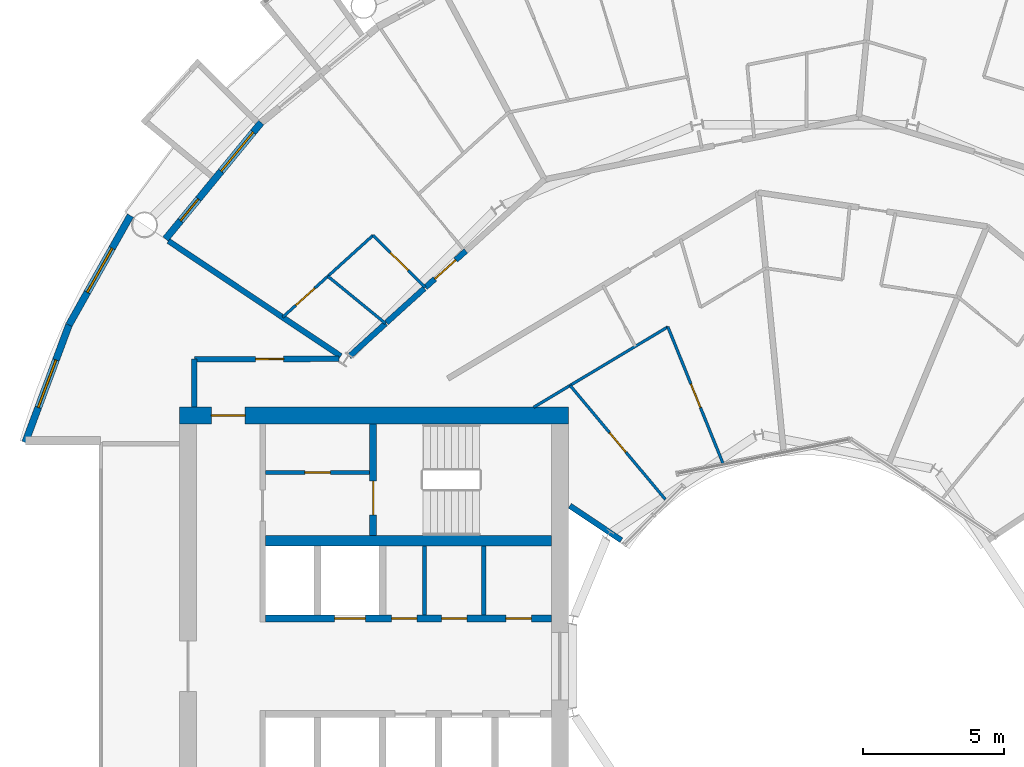
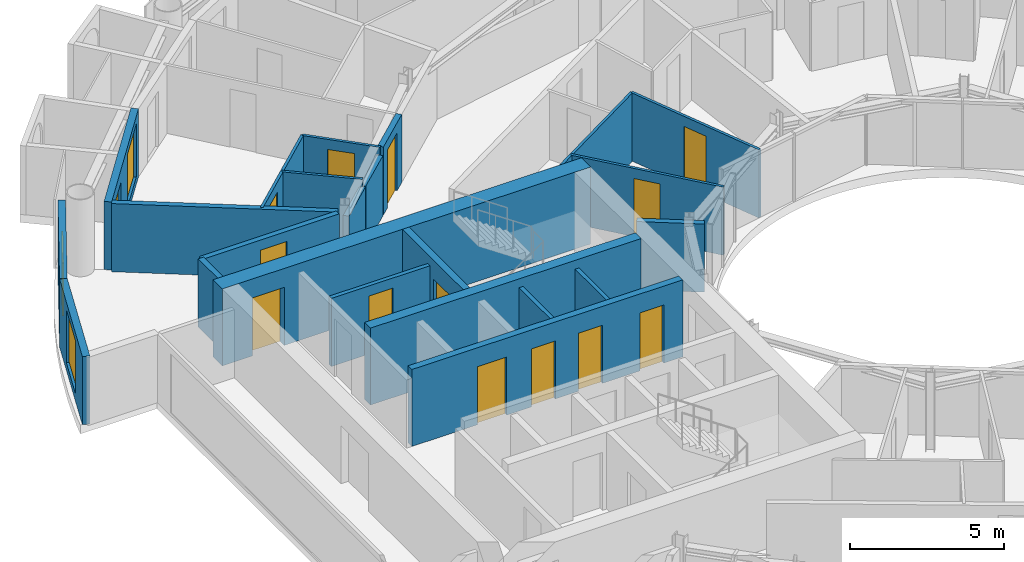
# One storey, part 19 of 28: 23 walls, 14 doors, 3 windows, 17 openings.
"""IFC4 building model written with IfcOpenShell, lengths in metres."""

import ifcopenshell
import ifcopenshell.guid

model = None  # the IFC model being written
_history = None  # IfcOwnerHistory: only IFC2X3 demands one
_inside = {}  # id of a spatial element -> (the spatial element, [elements in it])
_under = {}  # id of a project, library or spatial element -> (it, [spatial elements below it])
_declared = {}  # id of a project -> (the project, [libraries it declares])
_typed = {}  # id of a type object -> (the type object, [elements of that type])
_made_of = {}  # id of a material, layer set ... -> (it, [elements and type objects made of it])


def new_model(schema):
    """Start an empty IFC model of exactly this schema.

    Asked for "IFC4X3", IfcOpenShell would pick the latest addendum, in which some entities
    have other attributes; the version numbers below select the first issue.
    IFC2X3 requires an IfcOwnerHistory on every rooted entity: one is made here for all.
    """
    global model, _history
    if schema == "IFC4X3":
        model = ifcopenshell.file(schema_version=(4, 3, 0, 0))
    else:
        model = ifcopenshell.file(schema=schema)
    _inside.clear()
    _under.clear()
    _declared.clear()
    _typed.clear()
    _made_of.clear()
    _history = None
    if model.schema == "IFC2X3":
        org = make("IfcOrganization", Name="unknown")
        user = make(
            "IfcPersonAndOrganization",
            ThePerson=make("IfcPerson", FamilyName="unknown"),
            TheOrganization=org,
        )
        app = make(
            "IfcApplication",
            ApplicationDeveloper=org,
            Version="unknown",
            ApplicationFullName="unknown",
            ApplicationIdentifier="unknown",
        )
        _history = make(
            "IfcOwnerHistory",
            OwningUser=user,
            OwningApplication=app,
            ChangeAction="ADDED",
            CreationDate=0,
        )
    return model


def make(cls, **values):
    """One entity of the class cls with the attributes given. An attribute that is None is left unset."""
    return model.create_entity(
        cls, **{name: value for name, value in values.items() if value is not None}
    )


def rooted(cls, **values):
    """An entity with a GlobalId (a new one), such as an element, a storey or a relation."""
    return make(cls, GlobalId=ifcopenshell.guid.new(), OwnerHistory=_history, **values)


def si_unit(unit_type, name, prefix=None):
    """IfcSIUnit, for example si_unit("LENGTHUNIT", "METRE", prefix="MILLI")."""
    return make("IfcSIUnit", UnitType=unit_type, Prefix=prefix, Name=name)


def assignment(units):
    """IfcUnitAssignment: the units of a project."""
    return None if units is None else make("IfcUnitAssignment", Units=units)


def point(xyz):
    """IfcCartesianPoint."""
    return None if xyz is None else make("IfcCartesianPoint", Coordinates=xyz)


def direction(xyz):
    """IfcDirection."""
    return None if xyz is None else make("IfcDirection", DirectionRatios=xyz)


def frame(location, z_axis=None, x_axis=None):
    """IfcAxis2Placement3D, a coordinate frame: its origin and axes. An axis left out is left unset."""
    return make(
        "IfcAxis2Placement3D",
        Location=point(location),
        Axis=direction(z_axis),
        RefDirection=direction(x_axis),
    )


def frame_2d(location, x_axis=None):
    """IfcAxis2Placement2D, a coordinate frame in the plane: its origin and x axis."""
    return make(
        "IfcAxis2Placement2D", Location=point(location), RefDirection=direction(x_axis)
    )


def origin():
    """The frame at (0, 0, 0) with its axes left unset."""
    return frame((0.0, 0.0, 0.0))


def place(relative_to, where):
    """IfcLocalPlacement: puts the frame where relative to a parent placement (None: the world)."""
    return make(
        "IfcLocalPlacement", PlacementRelTo=relative_to, RelativePlacement=where
    )


def context(
    kind, dimensions, precision=None, world=None, true_north=None, identifier=None
):
    """IfcGeometricRepresentationContext, for example the 3D "Model" context."""
    return make(
        "IfcGeometricRepresentationContext",
        ContextIdentifier=identifier,
        ContextType=kind,
        CoordinateSpaceDimension=dimensions,
        Precision=precision,
        WorldCoordinateSystem=world,
        TrueNorth=true_north,
    )


def subcontext(parent, identifier, kind, view, scale=None):
    """IfcGeometricRepresentationSubContext, for example "Body" below "Model"."""
    return make(
        "IfcGeometricRepresentationSubContext",
        ContextIdentifier=identifier,
        ContextType=kind,
        ParentContext=parent,
        TargetScale=scale,
        TargetView=view,
    )


def project(units=None, contexts=None):
    """IfcProject with its units and contexts."""
    return rooted(
        "IfcProject",
        Name="project",
        RepresentationContexts=contexts,
        UnitsInContext=assignment(units),
    )


def spatial(cls, under=None, at=None, **own):
    """A site, building, storey or space (cls), placed at a placement, below another one or the project."""
    s = rooted(cls, ObjectPlacement=at, **own)
    if under is not None:
        _under.setdefault(under.id(), (under, []))[1].append(s)
    return s


def profile(cls, at=None, kind="AREA", **sizes):
    """A parametric profile (cls). Its sizes go by their IFC names, for example OverallWidth=200.0."""
    return make(cls, ProfileType=kind, Position=at, **sizes)


def rectangle(**sizes):
    """IfcRectangleProfileDef."""
    return profile("IfcRectangleProfileDef", **sizes)


def extrude(swept, where, along, depth):
    """IfcExtrudedAreaSolid: the profile swept, set in the frame where, extruded along a direction by depth."""
    return make(
        "IfcExtrudedAreaSolid",
        SweptArea=swept,
        Position=where,
        ExtrudedDirection=direction(along),
        Depth=depth,
    )


def shape(context_of_items, identifier, shape_type, items):
    """IfcShapeRepresentation: the items that make up one representation, for example the "Body"."""
    return make(
        "IfcShapeRepresentation",
        ContextOfItems=context_of_items,
        RepresentationIdentifier=identifier,
        RepresentationType=shape_type,
        Items=items,
    )


def material(Name=None, Category=None):
    """IfcMaterial."""
    return make("IfcMaterial", Name=Name, Category=Category)


def layer(
    of_material, thickness, ventilated=None, Name=None, Category=None, Priority=None
):
    """IfcMaterialLayer: one layer of a wall or slab, of a material (None: an air gap)."""
    return make(
        "IfcMaterialLayer",
        Material=of_material,
        LayerThickness=thickness,
        IsVentilated=ventilated,
        Name=Name,
        Category=Category,
        Priority=Priority,
    )


def layer_set(layers, Name=None):
    """IfcMaterialLayerSet."""
    return make("IfcMaterialLayerSet", MaterialLayers=layers, LayerSetName=Name)


def made_of(thing, what):
    """Note that an element or type object is made of a material, layer set ...; save() writes the relation."""
    if what is not None:
        _made_of.setdefault(what.id(), (what, []))[1].append(thing)
    return thing


def type_object(cls, material=None, **own):
    """A type object (cls), such as IfcWallType, which elements share."""
    return made_of(rooted(cls, **own), material)


def element(
    cls,
    number,
    at=None,
    inside=None,
    cuts=None,
    type_object=None,
    material=None,
    context=None,
    identifier="Body",
    shape_type=None,
    held_by="IfcProductDefinitionShape",
    body=None,
    shapes=None,
    **own,
):
    """One element of the class cls, such as IfcWall. Its Tag is "e" and its number.

    at: its placement. inside: the storey or other place that contains it. cuts: it is an
    opening in that element (IfcRelVoidsElement). A single representation is given by context,
    identifier, shape_type and body (its items); several are given by shapes. held_by: the class
    of the entity that holds the representations. save() writes the other relations.
    """
    e = rooted(cls, Tag="e%d" % number, ObjectPlacement=at, **own)
    if body is not None:
        shapes = [shape(context, identifier, shape_type, body)]
    if shapes is not None:
        e.Representation = make(held_by, Representations=shapes)
    if inside is not None:
        _inside.setdefault(inside.id(), (inside, []))[1].append(e)
    if cuts is not None:
        rooted(
            "IfcRelVoidsElement", RelatingBuildingElement=cuts, RelatedOpeningElement=e
        )
    if type_object is not None:
        _typed.setdefault(type_object.id(), (type_object, []))[1].append(e)
    return made_of(e, material)


def fill(opening, filler):
    """IfcRelFillsElement: the door or window that sits in an opening."""
    return rooted(
        "IfcRelFillsElement",
        RelatingOpeningElement=opening,
        RelatedBuildingElement=filler,
    )


def aggregate(whole, parts):
    """IfcRelAggregates: a whole, such as a stair, and the parts it consists of."""
    return rooted("IfcRelAggregates", RelatingObject=whole, RelatedObjects=parts)


def save(model, path):
    """Write the relations noted so far, then the file.

    IfcRelAggregates (storeys below a building ...), IfcRelContainedInSpatialStructure (elements
    in a storey), IfcRelDefinesByType, IfcRelAssociatesMaterial and IfcRelDeclares: one each for
    every whole, place, type object, material and project.
    """
    for whole, parts in _under.values():
        aggregate(whole, parts)
    for where, things in _inside.values():
        rooted(
            "IfcRelContainedInSpatialStructure",
            RelatedElements=things,
            RelatingStructure=where,
        )
    for kind, things in _typed.values():
        rooted("IfcRelDefinesByType", RelatedObjects=things, RelatingType=kind)
    for what, things in _made_of.values():
        rooted("IfcRelAssociatesMaterial", RelatedObjects=things, RelatingMaterial=what)
    for by, libraries in _declared.values():
        rooted("IfcRelDeclares", RelatingContext=by, RelatedDefinitions=libraries)
    model.write(path)


model = new_model("IFC4")

# Units and contexts
model_context = context("Model", 3, precision=1e-05, world=origin(), true_north=direction((0.0, 1.0)))
body_context = subcontext(model_context, "Body", "Model", "MODEL_VIEW")
ifc_project = project(units=[si_unit("LENGTHUNIT", "METRE"), si_unit("AREAUNIT", "SQUARE_METRE"), si_unit("VOLUMEUNIT", "CUBIC_METRE"), si_unit("PLANEANGLEUNIT", "RADIAN"), si_unit("MASSUNIT", "GRAM", prefix="KILO")], contexts=[model_context])

# Site, building, storey
site_placement = place(None, origin())
site = spatial("IfcSite", under=ifc_project, at=site_placement, CompositionType="ELEMENT")
building_placement = place(site_placement, origin())
building = spatial("IfcBuilding", under=site, at=building_placement, Name="Maasbend Ring Residences", CompositionType="ELEMENT")
storey_placement = place(building_placement, frame((0.0, 0.0, 129.949951171875)))
storey = spatial("IfcBuildingStorey", under=building, at=storey_placement, Name="L37", CompositionType="ELEMENT", Elevation=129.949951171875)

# Wall, openings, doors
ifc_material_1 = material(Name="Concrete C60/75", Category="concrete")
ifc_layer_1 = layer(ifc_material_1, 0.25)
ifc_layer_set_1 = layer_set([ifc_layer_1], Name="Concrete C60/75")
wall_type_1 = type_object("IfcWallType", Name="CORE WALL 250 C60/75", PredefinedType="SHEAR", material=ifc_layer_set_1)
wall_1_placement = place(storey_placement, frame((-19.14990234375, 1.699951171875, 0.0), z_axis=(0.0, 0.0, 1.0), x_axis=(1.0, 0.0, 0.0)))
wall_1 = element("IfcWall", 1, at=wall_1_placement, inside=storey, type_object=wall_type_1, Name="L37 core W wall SPS", PredefinedType="SHEAR", context=body_context, shape_type="SweptSolid", body=[
    extrude(rectangle(XDim=10.14990234375, YDim=0.25, at=frame_2d((5.074951171875, 0.0))), origin(), (0.0, 0.0, 1.0), 3.050048828125),
])
opening_1_placement = place(wall_1_placement, frame((2.449951171875, 0.0, 0.0)))
opening_1 = element("IfcOpeningElement", 2, at=opening_1_placement, cuts=wall_1, Name="Opening LD-W3705", PredefinedType="OPENING", context=body_context, shape_type="SweptSolid", body=[
    extrude(rectangle(XDim=1.10009765625, YDim=2.300048828125, at=frame_2d((0.550048828125, 1.14990234375))), frame((0.0, 0.135009765625, 0.0), z_axis=(0.0, -1.0, 0.0), x_axis=(1.0, 0.0, 0.0)), (0.0, 0.0, 1.0), 0.27001953125),
])
opening_2_placement = place(wall_1_placement, frame((8.53759765625, 0.0, 0.0)))
opening_2 = element("IfcOpeningElement", 3, at=opening_2_placement, cuts=wall_1, Name="Opening D-W3706", PredefinedType="OPENING", context=body_context, shape_type="SweptSolid", body=[
    extrude(rectangle(XDim=0.89990234375, YDim=2.300048828125, at=frame_2d((0.449951171875, 1.14990234375))), frame((0.0, 0.135009765625, 0.0), z_axis=(0.0, -1.0, 0.0), x_axis=(1.0, 0.0, 0.0)), (0.0, 0.0, 1.0), 0.27001953125),
])
opening_3_placement = place(wall_1_placement, frame((6.25, 0.0, 0.0)))
opening_3 = element("IfcOpeningElement", 4, at=opening_3_placement, cuts=wall_1, Name="Opening D-W3707", PredefinedType="OPENING", context=body_context, shape_type="SweptSolid", body=[
    extrude(rectangle(XDim=0.89990234375, YDim=2.300048828125, at=frame_2d((0.449951171875, 1.14990234375))), frame((0.0, 0.135009765625, 0.0), z_axis=(0.0, -1.0, 0.0), x_axis=(1.0, 0.0, 0.0)), (0.0, 0.0, 1.0), 0.27001953125),
])
opening_4_placement = place(wall_1_placement, frame((4.47509765625, 0.0, 0.0)))
opening_4 = element("IfcOpeningElement", 5, at=opening_4_placement, cuts=wall_1, Name="Opening D-W3708", PredefinedType="OPENING", context=body_context, shape_type="SweptSolid", body=[
    extrude(rectangle(XDim=0.89990234375, YDim=2.300048828125, at=frame_2d((0.449951171875, 1.14990234375))), frame((0.0, 0.135009765625, 0.0), z_axis=(0.0, -1.0, 0.0), x_axis=(1.0, 0.0, 0.0)), (0.0, 0.0, 1.0), 0.27001953125),
])
ifc_material_2 = material(Name="Stainless steel 316", Category="steel")
door_type_1 = type_object("IfcDoorType", Name="LANDING DOOR 1100 X 2300 FD60", OperationType="DOUBLE_DOOR_SLIDING", PredefinedType="DOOR", material=ifc_material_2)
door_1_placement = place(opening_1_placement, origin())
door_1 = element("IfcDoor", 6, at=door_1_placement, inside=storey, type_object=door_type_1, Name="Landing door SV-W L37", OperationType="DOUBLE_DOOR_SLIDING", OverallHeight=2.300048828125, OverallWidth=1.10009765625, PredefinedType="DOOR", context=body_context, shape_type="SweptSolid", body=[
    extrude(rectangle(XDim=1.10009765625, YDim=2.300048828125, at=frame_2d((0.550048828125, 1.14990234375))), frame((0.0, 0.02490234375, 0.0), z_axis=(0.0, -1.0, 0.0), x_axis=(1.0, 0.0, 0.0)), (0.0, 0.0, 1.0), 0.050048828125),
])
fill(opening_1, door_1)
ifc_material_3 = material(Name="Steel, powder coated", Category="steel")
door_type_2 = type_object("IfcDoorType", Name="ROOM DOOR 900 X 2300 FD30S", OperationType="NOTDEFINED", PredefinedType="DOOR", material=ifc_material_3)
door_2_placement = place(opening_2_placement, origin())
door_2 = element("IfcDoor", 7, at=door_2_placement, inside=storey, type_object=door_type_2, Name="Room door L37", OperationType="SINGLE_SWING_LEFT", OverallHeight=2.300048828125, OverallWidth=0.89990234375, PredefinedType="DOOR", context=body_context, shape_type="SweptSolid", body=[
    extrude(rectangle(XDim=0.89990234375, YDim=2.300048828125, at=frame_2d((0.449951171875, 1.14990234375))), frame((0.0, 0.02490234375, 0.0), z_axis=(0.0, -1.0, 0.0), x_axis=(1.0, 0.0, 0.0)), (0.0, 0.0, 1.0), 0.050048828125),
])
fill(opening_2, door_2)
door_3_placement = place(opening_3_placement, origin())
door_3 = element("IfcDoor", 8, at=door_3_placement, inside=storey, type_object=door_type_2, Name="Room door L37", OperationType="SINGLE_SWING_LEFT", OverallHeight=2.300048828125, OverallWidth=0.89990234375, PredefinedType="DOOR", context=body_context, shape_type="SweptSolid", body=[
    extrude(rectangle(XDim=0.89990234375, YDim=2.300048828125, at=frame_2d((0.449951171875, 1.14990234375))), frame((0.0, 0.02490234375, 0.0), z_axis=(0.0, -1.0, 0.0), x_axis=(1.0, 0.0, 0.0)), (0.0, 0.0, 1.0), 0.050048828125),
])
fill(opening_3, door_3)
door_4_placement = place(opening_4_placement, origin())
door_4 = element("IfcDoor", 9, at=door_4_placement, inside=storey, type_object=door_type_2, Name="Room door L37", OperationType="SINGLE_SWING_RIGHT", OverallHeight=2.300048828125, OverallWidth=0.89990234375, PredefinedType="DOOR", context=body_context, shape_type="SweptSolid", body=[
    extrude(rectangle(XDim=0.89990234375, YDim=2.300048828125, at=frame_2d((0.449951171875, 1.14990234375))), frame((0.0, 0.02490234375, 0.0), z_axis=(0.0, -1.0, 0.0), x_axis=(1.0, 0.0, 0.0)), (0.0, 0.0, 1.0), 0.050048828125),
])
fill(opening_4, door_4)

# Wall, opening, door
wall_2_placement = place(storey_placement, frame((-15.324951171875, 8.60009765625, 0.0), z_axis=(0.0, 0.0, 1.0), x_axis=(0.0, -1.0, 0.0)))
wall_2 = element("IfcWall", 10, at=wall_2_placement, inside=storey, type_object=wall_type_1, Name="L37 core W wall STES", PredefinedType="SHEAR", context=body_context, shape_type="SweptSolid", body=[
    extrude(rectangle(XDim=3.9501953125, YDim=0.25, at=frame_2d((1.97509765625, 0.0))), origin(), (0.0, 0.0, 1.0), 3.050048828125),
])
opening_5_placement = place(wall_2_placement, frame((2.02490234375, 0.0, 0.0)))
opening_5 = element("IfcOpeningElement", 11, at=opening_5_placement, cuts=wall_2, Name="Opening D-W3711", PredefinedType="OPENING", context=body_context, shape_type="SweptSolid", body=[
    extrude(rectangle(XDim=1.199951171875, YDim=2.300048828125, at=frame_2d((0.60009765625, 1.14990234375))), frame((0.0, 0.135009765625, 0.0), z_axis=(0.0, -1.0, 0.0), x_axis=(1.0, 0.0, 0.0)), (0.0, 0.0, 1.0), 0.27001953125),
])
ifc_material_4 = material(Name="Steel, powder coated", Category="steel")
door_type_3 = type_object("IfcDoorType", Name="STAIR DOOR 1200 X 2300 FD60", OperationType="NOTDEFINED", PredefinedType="DOOR", material=ifc_material_4)
door_5_placement = place(opening_5_placement, origin())
door_5 = element("IfcDoor", 12, at=door_5_placement, inside=storey, type_object=door_type_3, Name="Stair door ST-W L37", OperationType="SINGLE_SWING_LEFT", OverallHeight=2.300048828125, OverallWidth=1.199951171875, PredefinedType="DOOR", context=body_context, shape_type="SweptSolid", body=[
    extrude(rectangle(XDim=1.199951171875, YDim=2.300048828125, at=frame_2d((0.60009765625, 1.14990234375))), frame((0.0, 0.02490234375, 0.0), z_axis=(0.0, -1.0, 0.0), x_axis=(1.0, 0.0, 0.0)), (0.0, 0.0, 1.0), 0.050048828125),
])
fill(opening_5, door_5)

# Wall
ifc_material_5 = material(Name="Concrete C60/75", Category="concrete")
ifc_layer_2 = layer(ifc_material_5, 0.375)
ifc_layer_set_2 = layer_set([ifc_layer_2], Name="Concrete C60/75")
wall_type_2 = type_object("IfcWallType", Name="CORE WALL 375 C60/75", PredefinedType="SHEAR", material=ifc_layer_set_2)
wall_3_placement = place(storey_placement, frame((-9.0, 4.46240234375, 0.0), z_axis=(0.0, 0.0, 1.0), x_axis=(-1.0, 0.0, 0.0)))
element("IfcWall", 13, at=wall_3_placement, inside=storey, type_object=wall_type_2, Name="L37 core W wall BS", PredefinedType="SHEAR", context=body_context, shape_type="SweptSolid", body=[
    extrude(rectangle(XDim=10.14990234375, YDim=0.375, at=frame_2d((5.074951171875, 0.0))), origin(), (0.0, 0.0, 1.0), 3.050048828125),
])

# Wall, opening, door
ifc_material_6 = material(Name="Concrete C60/75", Category="concrete")
ifc_layer_3 = layer(ifc_material_6, 0.60009765625)
ifc_layer_set_3 = layer_set([ifc_layer_3], Name="Concrete C60/75")
wall_type_3 = type_object("IfcWallType", Name="CORE WALL 600 C60/75", PredefinedType="SHEAR", material=ifc_layer_set_3)
wall_4_placement = place(storey_placement, frame((-8.39990234375, 8.89990234375, 0.0), z_axis=(0.0, 0.0, 1.0), x_axis=(-1.0, 0.0, 0.0)))
wall_4 = element("IfcWall", 14, at=wall_4_placement, inside=storey, type_object=wall_type_3, Name="L37 core W wall PS", PredefinedType="SHEAR", context=body_context, shape_type="SweptSolid", body=[
    extrude(rectangle(XDim=13.800048828125, YDim=0.60009765625, at=frame_2d((6.89990234375, 0.0))), origin(), (0.0, 0.0, 1.0), 3.050048828125),
])
opening_6_placement = place(wall_4_placement, frame((11.47509765625, 0.0, 0.0)))
opening_6 = element("IfcOpeningElement", 15, at=opening_6_placement, cuts=wall_4, Name="Opening D-W3715", PredefinedType="OPENING", context=body_context, shape_type="SweptSolid", body=[
    extrude(rectangle(XDim=1.199951171875, YDim=2.300048828125, at=frame_2d((0.60009765625, 1.14990234375))), frame((0.0, 0.31005859375, 0.0), z_axis=(0.0, -1.0, 0.0), x_axis=(1.0, 0.0, 0.0)), (0.0, 0.0, 1.0), 0.6201171875),
])
ifc_material_7 = material(Name="Steel, powder coated", Category="steel")
door_type_4 = type_object("IfcDoorType", Name="CORRIDOR DOOR 1200 X 2300 FD30S", OperationType="NOTDEFINED", PredefinedType="DOOR", material=ifc_material_7)
door_6_placement = place(opening_6_placement, origin())
door_6 = element("IfcDoor", 16, at=door_6_placement, inside=storey, type_object=door_type_4, Name="Corridor door L37", OperationType="SINGLE_SWING_LEFT", OverallHeight=2.300048828125, OverallWidth=1.199951171875, PredefinedType="DOOR", context=body_context, shape_type="SweptSolid", body=[
    extrude(rectangle(XDim=1.199951171875, YDim=2.300048828125, at=frame_2d((0.60009765625, 1.14990234375))), frame((0.0, 0.02490234375, 0.0), z_axis=(0.0, -1.0, 0.0), x_axis=(1.0, 0.0, 0.0)), (0.0, 0.0, 1.0), 0.050048828125),
])
fill(opening_6, door_6)

ifc_material_8 = material(Name="Concrete C30/37", Category="concrete")
ifc_layer_4 = layer(ifc_material_8, 0.199951171875)
ifc_layer_set_4 = layer_set([ifc_layer_4], Name="Concrete C30/37")
wall_type_4 = type_object("IfcWallType", Name="CORRIDOR WALL 200 CONCRETE", PredefinedType="PARTITIONING", material=ifc_layer_set_4)
wall_5_placement = place(storey_placement, frame((-21.675048828125, 10.89990234375, 0.0), z_axis=(0.0, 0.0, 1.0), x_axis=(0.99999670426, 0.002567385634, 0.0)))
wall_5 = element("IfcWall", 17, at=wall_5_placement, inside=storey, type_object=wall_type_4, Name="U-L37-w098", PredefinedType="PARTITIONING", context=body_context, shape_type="SweptSolid", body=[
    extrude(rectangle(XDim=5.135009765625, YDim=0.199951171875, at=frame_2d((2.5673828125, 0.0))), origin(), (0.0, 0.0, 1.0), 2.699951171875),
])
opening_7_placement = place(wall_5_placement, frame((2.1708984375, 0.0, 0.0)))
opening_7 = element("IfcOpeningElement", 18, at=opening_7_placement, cuts=wall_5, Name="Opening D-3772", PredefinedType="OPENING", context=body_context, shape_type="SweptSolid", body=[
    extrude(rectangle(XDim=1.0, YDim=2.300048828125, at=frame_2d((0.5, 1.14990234375))), frame((0.0, 0.10986328125, 0.0), z_axis=(0.0, -1.0, 0.0), x_axis=(1.0, 0.0, 0.0)), (0.0, 0.0, 1.0), 0.219970703125),
])
ifc_material_9 = material(Name="Timber, painted", Category="wood")
door_type_5 = type_object("IfcDoorType", Name="ROOM DOOR 1000 X 2300", OperationType="NOTDEFINED", PredefinedType="DOOR", material=ifc_material_9)
door_7_placement = place(opening_7_placement, origin())
door_7 = element("IfcDoor", 19, at=door_7_placement, inside=storey, type_object=door_type_5, Name="D-3772", OperationType="SINGLE_SWING_RIGHT", OverallHeight=2.300048828125, OverallWidth=1.0, PredefinedType="DOOR", context=body_context, shape_type="SweptSolid", body=[
    extrude(rectangle(XDim=1.0, YDim=2.300048828125, at=frame_2d((0.5, 1.14990234375))), frame((0.0, 0.02490234375, 0.0), z_axis=(0.0, -1.0, 0.0), x_axis=(1.0, 0.0, 0.0)), (0.0, 0.0, 1.0), 0.050048828125),
])
fill(opening_7, door_7)

# Walls
wall_6_placement = place(storey_placement, frame((-16.178955078125, 10.9951171875, 0.0), z_axis=(0.0, 0.0, 1.0), x_axis=(0.74092608219, 0.671586584687, 0.0)))
element("IfcWall", 20, at=wall_6_placement, inside=storey, type_object=wall_type_4, Name="U-L37-w110", PredefinedType="PARTITIONING", context=body_context, shape_type="SweptSolid", body=[
    extrude(rectangle(XDim=1.746337890625, YDim=0.199951171875, at=frame_2d((0.873046875, 0.0))), origin(), (0.0, 0.0, 1.0), 2.39013671875),
])
wall_7_placement = place(storey_placement, frame((-14.85498046875, 12.200927734375, 0.0), z_axis=(0.0, 0.0, 1.0), x_axis=(0.742026993487, 0.670370003011, 0.0)))
element("IfcWall", 21, at=wall_7_placement, inside=storey, type_object=wall_type_4, Name="U-L37-w111", PredefinedType="PARTITIONING", context=body_context, shape_type="SweptSolid", body=[
    extrude(rectangle(XDim=1.8125, YDim=0.199951171875, at=frame_2d((0.90625, 0.0))), origin(), (0.0, 0.0, 1.0), 2.39013671875),
])

# Wall, opening, door
wall_8_placement = place(storey_placement, frame((-13.47412109375, 13.447998046875, 0.0), z_axis=(0.0, 0.0, 1.0), x_axis=(0.742096578776, 0.670292971595, 0.0)))
wall_8 = element("IfcWall", 22, at=wall_8_placement, inside=storey, type_object=wall_type_4, Name="U-L37-w112", PredefinedType="PARTITIONING", context=body_context, shape_type="SweptSolid", body=[
    extrude(rectangle(XDim=1.93798828125, YDim=0.199951171875, at=frame_2d((0.968994140625, 0.0))), origin(), (0.0, 0.0, 1.0), 2.699951171875),
])
opening_8_placement = place(wall_8_placement, frame((0.452880859375, 0.0, 0.0)))
opening_8 = element("IfcOpeningElement", 23, at=opening_8_placement, cuts=wall_8, Name="Opening D-3718", PredefinedType="OPENING", context=body_context, shape_type="SweptSolid", body=[
    extrude(rectangle(XDim=1.0, YDim=2.300048828125, at=frame_2d((0.5, 1.14990234375))), frame((0.0, 0.10986328125, 0.0), z_axis=(0.0, -1.0, 0.0), x_axis=(1.0, 0.0, 0.0)), (0.0, 0.0, 1.0), 0.219970703125),
])
ifc_material_10 = material(Name="Timber, fire-rated, painted", Category="wood")
door_type_6 = type_object("IfcDoorType", Name="FLAT ENTRANCE DOOR 1000 X 2300 FIRE-RATED", OperationType="NOTDEFINED", PredefinedType="DOOR", material=ifc_material_10)
door_8_placement = place(opening_8_placement, origin())
door_8 = element("IfcDoor", 24, at=door_8_placement, inside=storey, type_object=door_type_6, Name="D-3718", OperationType="SINGLE_SWING_LEFT", OverallHeight=2.300048828125, OverallWidth=1.0, PredefinedType="DOOR", context=body_context, shape_type="SweptSolid", body=[
    extrude(rectangle(XDim=1.0, YDim=2.300048828125, at=frame_2d((0.5, 1.14990234375))), frame((0.0, 0.02490234375, 0.0), z_axis=(0.0, -1.0, 0.0), x_axis=(1.0, 0.0, 0.0)), (0.0, 0.0, 1.0), 0.050048828125),
])
fill(opening_8, door_8)

# Wall
wall_9_placement = place(storey_placement, frame((-21.675048828125, 9.199951171875, 0.0), z_axis=(0.0, 0.0, 1.0), x_axis=(0.0, 1.0, 0.0)))
element("IfcWall", 25, at=wall_9_placement, inside=storey, type_object=wall_type_4, Name="U-L37-w124", PredefinedType="PARTITIONING", context=body_context, shape_type="SweptSolid", body=[
    extrude(rectangle(XDim=1.699951171875, YDim=0.199951171875, at=frame_2d((0.85009765625, 0.0))), origin(), (0.0, 0.0, 1.0), 2.699951171875),
])

# Wall, openings, door, window
ifc_material_11 = material(Name="Aluminium clad insulated panel", Category="aluminium")
ifc_layer_5 = layer(ifc_material_11, 0.25)
ifc_layer_set_5 = layer_set([ifc_layer_5], Name="EW-GL")
wall_type_5 = type_object("IfcWallType", Name="EW-GL", PredefinedType="SOLIDWALL", material=ifc_layer_set_5)
wall_10_placement = place(storey_placement, frame((-19.303955078125, 19.303955078125, 0.0), z_axis=(0.0, 0.0, 1.0), x_axis=(-0.634382322723, -0.773019449054, 0.0)))
wall_10 = element("IfcWall", 26, at=wall_10_placement, inside=storey, type_object=wall_type_5, Name="External wall N10", PredefinedType="SOLIDWALL", context=body_context, shape_type="SweptSolid", body=[
    extrude(rectangle(XDim=5.351806640625, YDim=0.25, at=frame_2d((2.67578125, 0.0))), origin(), (0.0, 0.0, 1.0), 2.699951171875),
])
opening_9_placement = place(wall_10_placement, frame((0.441162109375, 0.0, 0.300048828125)))
opening_9 = element("IfcOpeningElement", 27, at=opening_9_placement, cuts=wall_10, Name="Opening W-BX", PredefinedType="OPENING", context=body_context, shape_type="SweptSolid", body=[
    extrude(rectangle(XDim=1.800048828125, YDim=2.10009765625, at=frame_2d((0.89990234375, 1.050048828125))), frame((0.0, 0.135009765625, 0.0), z_axis=(0.0, -1.0, 0.0), x_axis=(1.0, 0.0, 0.0)), (0.0, 0.0, 1.0), 0.27001953125),
])
opening_10_placement = place(wall_10_placement, frame((3.510498046875, 0.0, 0.0)))
opening_10 = element("IfcOpeningElement", 28, at=opening_10_placement, cuts=wall_10, Name="Opening D-LG", PredefinedType="OPENING", context=body_context, shape_type="SweptSolid", body=[
    extrude(rectangle(XDim=1.0, YDim=2.199951171875, at=frame_2d((0.5, 1.10009765625))), frame((0.0, 0.135009765625, 0.0), z_axis=(0.0, -1.0, 0.0), x_axis=(1.0, 0.0, 0.0)), (0.0, 0.0, 1.0), 0.27001953125),
])
ifc_material_12 = material(Name="Aluminium and clear glass", Category="aluminium")
door_type_7 = type_object("IfcDoorType", Name="D-LG", OperationType="SINGLE_SWING_LEFT", PredefinedType="DOOR", material=ifc_material_12)
door_9_placement = place(opening_10_placement, origin())
door_9 = element("IfcDoor", 29, at=door_9_placement, inside=storey, type_object=door_type_7, Name="Loggia door N20", OperationType="SINGLE_SWING_LEFT", OverallHeight=2.199951171875, OverallWidth=1.0, PredefinedType="DOOR", context=body_context, shape_type="SweptSolid", body=[
    extrude(rectangle(XDim=1.0, YDim=2.199951171875, at=frame_2d((0.5, 1.10009765625))), frame((0.0, 0.02490234375, 0.0), z_axis=(0.0, -1.0, 0.0), x_axis=(1.0, 0.0, 0.0)), (0.0, 0.0, 1.0), 0.050048828125),
])
fill(opening_10, door_9)
ifc_material_13 = material(Name="Aluminium and clear glass", Category="aluminium")
window_type = type_object("IfcWindowType", Name="W-BX", PartitioningType="DOUBLE_PANEL_VERTICAL", PredefinedType="WINDOW", material=ifc_material_13)
window_1_placement = place(opening_9_placement, origin())
window_1 = element("IfcWindow", 30, at=window_1_placement, inside=storey, type_object=window_type, Name="Window N19 room to box", OverallHeight=2.10009765625, OverallWidth=1.800048828125, PartitioningType="SINGLE_PANEL", PredefinedType="WINDOW", context=body_context, shape_type="SweptSolid", body=[
    extrude(rectangle(XDim=1.800048828125, YDim=2.10009765625, at=frame_2d((0.89990234375, 1.050048828125))), frame((0.0, 0.030029296875, 0.0), z_axis=(0.0, -1.0, 0.0), x_axis=(1.0, 0.0, 0.0)), (0.0, 0.0, 1.0), 0.06005859375),
])
fill(opening_9, window_1)

# Wall, opening, window
ifc_material_14 = material(Name="Aluminium clad insulated panel", Category="aluminium")
ifc_layer_6 = layer(ifc_material_14, 0.25)
ifc_layer_set_6 = layer_set([ifc_layer_6], Name="EW-HORN")
wall_type_6 = type_object("IfcWallType", Name="EW-HORN", PredefinedType="SOLIDWALL", material=ifc_layer_set_6)
wall_11_placement = place(storey_placement, frame((-23.946044921875, 16.0, 0.0), z_axis=(0.0, 0.0, 1.0), x_axis=(-0.489696356642, -0.871893042919, 0.0)))
wall_11 = element("IfcWall", 31, at=wall_11_placement, inside=storey, type_object=wall_type_6, Name="Horn wall 4.1", PredefinedType="SOLIDWALL", context=body_context, shape_type="SweptSolid", body=[
    extrude(rectangle(XDim=4.45361328125, YDim=0.25, at=frame_2d((2.226806640625, 0.0))), origin(), (0.0, 0.0, 1.0), 2.699951171875),
])
opening_11_placement = place(wall_11_placement, frame((1.32666015625, 0.0, 0.300048828125)))
opening_11 = element("IfcOpeningElement", 32, at=opening_11_placement, cuts=wall_11, Name="Opening W-BX", PredefinedType="OPENING", context=body_context, shape_type="SweptSolid", body=[
    extrude(rectangle(XDim=1.800048828125, YDim=2.10009765625, at=frame_2d((0.89990234375, 1.050048828125))), frame((0.0, 0.135009765625, 0.0), z_axis=(0.0, -1.0, 0.0), x_axis=(1.0, 0.0, 0.0)), (0.0, 0.0, 1.0), 0.27001953125),
])
window_2_placement = place(opening_11_placement, origin())
window_2 = element("IfcWindow", 33, at=window_2_placement, inside=storey, type_object=window_type, Name="Horn window 4.1", OverallHeight=2.10009765625, OverallWidth=1.800048828125, PartitioningType="SINGLE_PANEL", PredefinedType="WINDOW", context=body_context, shape_type="SweptSolid", body=[
    extrude(rectangle(XDim=1.800048828125, YDim=2.10009765625, at=frame_2d((0.89990234375, 1.050048828125))), frame((0.0, 0.030029296875, 0.0), z_axis=(0.0, -1.0, 0.0), x_axis=(1.0, 0.0, 0.0)), (0.0, 0.0, 1.0), 0.06005859375),
])
fill(opening_11, window_2)

wall_12_placement = place(storey_placement, frame((-26.126953125, 12.116943359375, 0.0), z_axis=(0.0, 0.0, 1.0), x_axis=(-0.349247811493, -0.937030397675, 0.0)))
wall_12 = element("IfcWall", 34, at=wall_12_placement, inside=storey, type_object=wall_type_6, Name="Horn wall 4.2", PredefinedType="SOLIDWALL", context=body_context, shape_type="SweptSolid", body=[
    extrude(rectangle(XDim=4.4521484375, YDim=0.25, at=frame_2d((2.22607421875, 0.0))), origin(), (0.0, 0.0, 1.0), 2.699951171875),
])
opening_12_placement = place(wall_12_placement, frame((1.32666015625, 0.0, 0.300048828125)))
opening_12 = element("IfcOpeningElement", 35, at=opening_12_placement, cuts=wall_12, Name="Opening W-BX", PredefinedType="OPENING", context=body_context, shape_type="SweptSolid", body=[
    extrude(rectangle(XDim=1.800048828125, YDim=2.10009765625, at=frame_2d((0.89990234375, 1.050048828125))), frame((0.0, 0.135009765625, 0.0), z_axis=(0.0, -1.0, 0.0), x_axis=(1.0, 0.0, 0.0)), (0.0, 0.0, 1.0), 0.27001953125),
])
window_3_placement = place(opening_12_placement, origin())
window_3 = element("IfcWindow", 36, at=window_3_placement, inside=storey, type_object=window_type, Name="Horn window 4.2", OverallHeight=2.10009765625, OverallWidth=1.800048828125, PartitioningType="SINGLE_PANEL", PredefinedType="WINDOW", context=body_context, shape_type="SweptSolid", body=[
    extrude(rectangle(XDim=1.800048828125, YDim=2.10009765625, at=frame_2d((0.89990234375, 1.050048828125))), frame((0.0, 0.030029296875, 0.0), z_axis=(0.0, -1.0, 0.0), x_axis=(1.0, 0.0, 0.0)), (0.0, 0.0, 1.0), 0.06005859375),
])
fill(opening_12, window_3)

# Wall
ifc_material_15 = material(Name="Gypsum board on steel studs", Category="steel")
ifc_layer_7 = layer(ifc_material_15, 0.10009765625)
ifc_layer_set_7 = layer_set([ifc_layer_7], Name="PARTITION 100 GYPSUM")
wall_type_7 = type_object("IfcWallType", Name="PARTITION 100 GYPSUM", PredefinedType="PARTITIONING", material=ifc_layer_set_7)
wall_13_placement = place(storey_placement, frame((-16.93603515625, 13.844970703125, 0.0), z_axis=(0.0, 0.0, 1.0), x_axis=(0.774162545943, -0.632986850147, 0.0)))
element("IfcWall", 37, at=wall_13_placement, inside=storey, type_object=wall_type_7, Name="U-L37-w033", PredefinedType="PARTITIONING", context=body_context, shape_type="SweptSolid", body=[
    extrude(rectangle(XDim=2.6494140625, YDim=0.10009765625, at=frame_2d((1.32470703125, 0.0))), origin(), (0.0, 0.0, 1.0), 2.699951171875),
])

# Wall, opening, door
wall_14_placement = place(storey_placement, frame((-15.3330078125, 15.297119140625, 0.0), z_axis=(0.0, 0.0, 1.0), x_axis=(0.707851299421, -0.706361478217, 0.0)))
wall_14 = element("IfcWall", 38, at=wall_14_placement, inside=storey, type_object=wall_type_7, Name="U-L37-w035", PredefinedType="PARTITIONING", context=body_context, shape_type="SweptSolid", body=[
    extrude(rectangle(XDim=2.6220703125, YDim=0.10009765625, at=frame_2d((1.31103515625, 0.0))), origin(), (0.0, 0.0, 1.0), 2.699951171875),
])
opening_13_placement = place(wall_14_placement, frame((0.861083984375, 0.0, 0.0)))
opening_13 = element("IfcOpeningElement", 39, at=opening_13_placement, cuts=wall_14, Name="Opening D-3720", PredefinedType="OPENING", context=body_context, shape_type="SweptSolid", body=[
    extrude(rectangle(XDim=0.89990234375, YDim=2.300048828125, at=frame_2d((0.449951171875, 1.14990234375))), frame((0.0, 0.06005859375, 0.0), z_axis=(0.0, -1.0, 0.0), x_axis=(1.0, 0.0, 0.0)), (0.0, 0.0, 1.0), 0.1201171875),
])
ifc_material_16 = material(Name="Timber, painted", Category="wood")
door_type_8 = type_object("IfcDoorType", Name="INTERNAL DOOR 900 X 2300", OperationType="NOTDEFINED", PredefinedType="DOOR", material=ifc_material_16)
door_10_placement = place(opening_13_placement, origin())
door_10 = element("IfcDoor", 40, at=door_10_placement, inside=storey, type_object=door_type_8, Name="D-3720", OperationType="SINGLE_SWING_RIGHT", OverallHeight=2.300048828125, OverallWidth=0.89990234375, PredefinedType="DOOR", context=body_context, shape_type="SweptSolid", body=[
    extrude(rectangle(XDim=0.89990234375, YDim=2.300048828125, at=frame_2d((0.449951171875, 1.14990234375))), frame((0.0, 0.02490234375, 0.0), z_axis=(0.0, -1.0, 0.0), x_axis=(1.0, 0.0, 0.0)), (0.0, 0.0, 1.0), 0.050048828125),
])
fill(opening_13, door_10)

wall_15_placement = place(storey_placement, frame((-8.3349609375, 9.969970703125, 0.0), z_axis=(0.0, 0.0, 1.0), x_axis=(0.641376424834, -0.767226356213, 0.0)))
wall_15 = element("IfcWall", 41, at=wall_15_placement, inside=storey, type_object=wall_type_7, Name="U-L37-w045", PredefinedType="PARTITIONING", context=body_context, shape_type="SweptSolid", body=[
    extrude(rectangle(XDim=5.274658203125, YDim=0.10009765625, at=frame_2d((2.63720703125, 0.0))), origin(), (0.0, 0.0, 1.0), 2.699951171875),
])
opening_14_placement = place(wall_15_placement, frame((2.18701171875, 0.0, 0.0)))
opening_14 = element("IfcOpeningElement", 42, at=opening_14_placement, cuts=wall_15, Name="Opening D-3735", PredefinedType="OPENING", context=body_context, shape_type="SweptSolid", body=[
    extrude(rectangle(XDim=0.89990234375, YDim=2.300048828125, at=frame_2d((0.449951171875, 1.14990234375))), frame((0.0, 0.06005859375, 0.0), z_axis=(0.0, -1.0, 0.0), x_axis=(1.0, 0.0, 0.0)), (0.0, 0.0, 1.0), 0.1201171875),
])
door_11_placement = place(opening_14_placement, origin())
door_11 = element("IfcDoor", 43, at=door_11_placement, inside=storey, type_object=door_type_8, Name="D-3735", OperationType="SINGLE_SWING_RIGHT", OverallHeight=2.300048828125, OverallWidth=0.89990234375, PredefinedType="DOOR", context=body_context, shape_type="SweptSolid", body=[
    extrude(rectangle(XDim=0.89990234375, YDim=2.300048828125, at=frame_2d((0.449951171875, 1.14990234375))), frame((0.0, 0.02490234375, 0.0), z_axis=(0.0, -1.0, 0.0), x_axis=(1.0, 0.0, 0.0)), (0.0, 0.0, 1.0), 0.050048828125),
])
fill(opening_14, door_11)

wall_16_placement = place(storey_placement, frame((-4.864013671875, 12.051025390625, 0.0), z_axis=(0.0, 0.0, 1.0), x_axis=(0.374372761824, -0.927278294367, 0.0)))
wall_16 = element("IfcWall", 44, at=wall_16_placement, inside=storey, type_object=wall_type_7, Name="U-L37-w053", PredefinedType="PARTITIONING", context=body_context, shape_type="SweptSolid", body=[
    extrude(rectangle(XDim=5.275634765625, YDim=0.10009765625, at=frame_2d((2.6376953125, 0.0))), origin(), (0.0, 0.0, 1.0), 2.699951171875),
])
opening_15_placement = place(wall_16_placement, frame((2.18798828125, 0.0, 0.0)))
opening_15 = element("IfcOpeningElement", 45, at=opening_15_placement, cuts=wall_16, Name="Opening D-3734", PredefinedType="OPENING", context=body_context, shape_type="SweptSolid", body=[
    extrude(rectangle(XDim=0.89990234375, YDim=2.300048828125, at=frame_2d((0.449951171875, 1.14990234375))), frame((0.0, 0.06005859375, 0.0), z_axis=(0.0, -1.0, 0.0), x_axis=(1.0, 0.0, 0.0)), (0.0, 0.0, 1.0), 0.1201171875),
])
door_12_placement = place(opening_15_placement, origin())
door_12 = element("IfcDoor", 46, at=door_12_placement, inside=storey, type_object=door_type_8, Name="D-3734", OperationType="SINGLE_SWING_RIGHT", OverallHeight=2.300048828125, OverallWidth=0.89990234375, PredefinedType="DOOR", context=body_context, shape_type="SweptSolid", body=[
    extrude(rectangle(XDim=0.89990234375, YDim=2.300048828125, at=frame_2d((0.449951171875, 1.14990234375))), frame((0.0, 0.02490234375, 0.0), z_axis=(0.0, -1.0, 0.0), x_axis=(1.0, 0.0, 0.0)), (0.0, 0.0, 1.0), 0.050048828125),
])
fill(opening_15, door_12)

# Wall
wall_17_placement = place(storey_placement, frame((-9.623046875, 9.195068359375, 0.0), z_axis=(0.0, 0.0, 1.0), x_axis=(0.857574416464, 0.514359913122, 0.0)))
element("IfcWall", 47, at=wall_17_placement, inside=storey, type_object=wall_type_7, Name="U-L37-w100", PredefinedType="PARTITIONING", context=body_context, shape_type="SweptSolid", body=[
    extrude(rectangle(XDim=5.550537109375, YDim=0.10009765625, at=frame_2d((2.775390625, 0.0))), origin(), (0.0, 0.0, 1.0), 2.699951171875),
])

# Wall, opening, door
wall_18_placement = place(storey_placement, frame((-18.5400390625, 12.39208984375, 0.0), z_axis=(0.0, 0.0, 1.0), x_axis=(0.741109646243, 0.671384012504, 0.0)))
wall_18 = element("IfcWall", 48, at=wall_18_placement, inside=storey, type_object=wall_type_7, Name="U-L37-w119", PredefinedType="PARTITIONING", context=body_context, shape_type="SweptSolid", body=[
    extrude(rectangle(XDim=4.331298828125, YDim=0.10009765625, at=frame_2d((2.16552734375, 0.0))), origin(), (0.0, 0.0, 1.0), 2.699951171875),
])
opening_16_placement = place(wall_18_placement, frame((0.62890625, 0.0, 0.0)))
opening_16 = element("IfcOpeningElement", 49, at=opening_16_placement, cuts=wall_18, Name="Opening D-3719", PredefinedType="OPENING", context=body_context, shape_type="SweptSolid", body=[
    extrude(rectangle(XDim=0.89990234375, YDim=2.300048828125, at=frame_2d((0.449951171875, 1.14990234375))), frame((0.0, 0.06005859375, 0.0), z_axis=(0.0, -1.0, 0.0), x_axis=(1.0, 0.0, 0.0)), (0.0, 0.0, 1.0), 0.1201171875),
])
door_13_placement = place(opening_16_placement, origin())
door_13 = element("IfcDoor", 50, at=door_13_placement, inside=storey, type_object=door_type_8, Name="D-3719", OperationType="SINGLE_SWING_LEFT", OverallHeight=2.300048828125, OverallWidth=0.89990234375, PredefinedType="DOOR", context=body_context, shape_type="SweptSolid", body=[
    extrude(rectangle(XDim=0.89990234375, YDim=2.300048828125, at=frame_2d((0.449951171875, 1.14990234375))), frame((0.0, 0.02490234375, 0.0), z_axis=(0.0, -1.0, 0.0), x_axis=(1.0, 0.0, 0.0)), (0.0, 0.0, 1.0), 0.050048828125),
])
fill(opening_16, door_13)

# Walls
ifc_material_17 = material(Name="Gypsum board on steel studs", Category="steel")
ifc_layer_8 = layer(ifc_material_17, 0.14990234375)
ifc_layer_set_8 = layer_set([ifc_layer_8], Name="PARTITION 150 EI 60")
wall_type_8 = type_object("IfcWallType", Name="PARTITION 150 EI 60", PredefinedType="PARTITIONING", material=ifc_layer_set_8)
for number, where, z_axis, x_axis, name in (
    (51, (-11.39990234375, 1.824951171875, 0.0), (0.0, 0.0, 1.0), (0.0, 1.0, 0.0), "L37 core W wall PRS1140"),
    (52, (-13.5, 1.824951171875, 0.0), (0.0, 0.0, 1.0), (0.0, 1.0, 0.0), "L37 core W wall PRS1350"),
):
    element("IfcWall", number, at=place(storey_placement, frame(where, z_axis=z_axis, x_axis=x_axis)), inside=storey, type_object=wall_type_8, Name=name, PredefinedType="PARTITIONING", context=body_context, shape_type="SweptSolid", body=[
        extrude(rectangle(XDim=2.449951171875, YDim=0.14990234375, at=frame_2d((1.22509765625, 0.0))), origin(), (0.0, 0.0, 1.0), 2.699951171875),
    ])

# Wall, opening, door
wall_19_placement = place(storey_placement, frame((-15.449951171875, 6.875, 0.0), z_axis=(0.0, 0.0, 1.0), x_axis=(-1.0, 0.0, 0.0)))
wall_19 = element("IfcWall", 53, at=wall_19_placement, inside=storey, type_object=wall_type_8, Name="L37 core W wall RHS", PredefinedType="PARTITIONING", context=body_context, shape_type="SweptSolid", body=[
    extrude(rectangle(XDim=3.699951171875, YDim=0.14990234375, at=frame_2d((1.85009765625, 0.0))), origin(), (0.0, 0.0, 1.0), 2.699951171875),
])
opening_17_placement = place(wall_19_placement, frame((1.39990234375, 0.0, 0.0)))
opening_17 = element("IfcOpeningElement", 54, at=opening_17_placement, cuts=wall_19, Name="Opening D-W3709", PredefinedType="OPENING", context=body_context, shape_type="SweptSolid", body=[
    extrude(rectangle(XDim=0.89990234375, YDim=2.300048828125, at=frame_2d((0.449951171875, 1.14990234375))), frame((0.0, 0.0849609375, 0.0), z_axis=(0.0, -1.0, 0.0), x_axis=(1.0, 0.0, 0.0)), (0.0, 0.0, 1.0), 0.169921875),
])
ifc_material_18 = material(Name="Steel, powder coated", Category="steel")
door_type_9 = type_object("IfcDoorType", Name="RISER DOOR 900 X 2300 FD60", OperationType="NOTDEFINED", PredefinedType="DOOR", material=ifc_material_18)
door_14_placement = place(opening_17_placement, origin())
door_14 = element("IfcDoor", 55, at=door_14_placement, inside=storey, type_object=door_type_9, Name="Riser door L37", OperationType="SINGLE_SWING_LEFT", OverallHeight=2.300048828125, OverallWidth=0.89990234375, PredefinedType="DOOR", context=body_context, shape_type="SweptSolid", body=[
    extrude(rectangle(XDim=0.89990234375, YDim=2.300048828125, at=frame_2d((0.449951171875, 1.14990234375))), frame((0.0, 0.02490234375, 0.0), z_axis=(0.0, -1.0, 0.0), x_axis=(1.0, 0.0, 0.0)), (0.0, 0.0, 1.0), 0.050048828125),
])
fill(opening_17, door_14)

# Walls
ifc_material_19 = material(Name="Concrete C30/37", Category="concrete")
ifc_layer_9 = layer(ifc_material_19, 0.199951171875)
ifc_layer_set_9 = layer_set([ifc_layer_9], Name="Concrete C30/37")
wall_type_9 = type_object("IfcWallType", Name="PARTY WALL 200 CONCRETE", PredefinedType="PARTITIONING", material=ifc_layer_set_9)
wall_20_placement = place(storey_placement, frame((-22.594970703125, 15.097900390625, 0.0), z_axis=(0.0, 0.0, 1.0), x_axis=(0.831406593008, -0.555664536482, 0.0)))
element("IfcWall", 56, at=wall_20_placement, inside=storey, type_object=wall_type_9, Name="U-L37-w030", PredefinedType="PARTITIONING", context=body_context, shape_type="SweptSolid", body=[
    extrude(rectangle(XDim=7.3583984375, YDim=0.199951171875, at=frame_2d((3.67919921875, 0.0))), origin(), (0.0, 0.0, 1.0), 2.699951171875),
])
wall_21_placement = place(storey_placement, frame((-6.512939453125, 4.471923828125, 0.0), z_axis=(0.0, 0.0, 1.0), x_axis=(-0.831333375071, 0.555774072347, 0.0)))
element("IfcWall", 57, at=wall_21_placement, inside=storey, type_object=wall_type_9, Name="U-L37-w096", PredefinedType="PARTITIONING", context=body_context, shape_type="SweptSolid", body=[
    extrude(rectangle(XDim=2.20263671875, YDim=0.199951171875, at=frame_2d((1.101318359375, 0.0))), origin(), (0.0, 0.0, 1.0), 2.699951171875),
])

save(model, "model.ifc")
